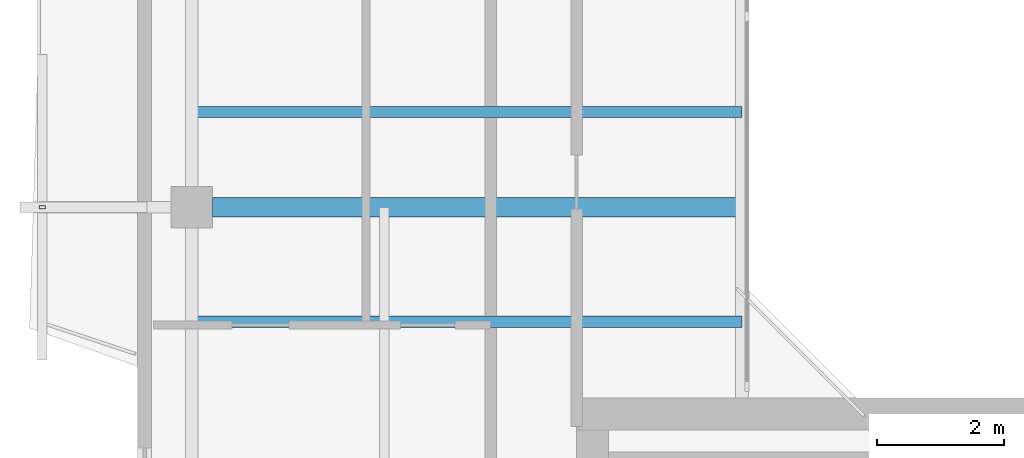
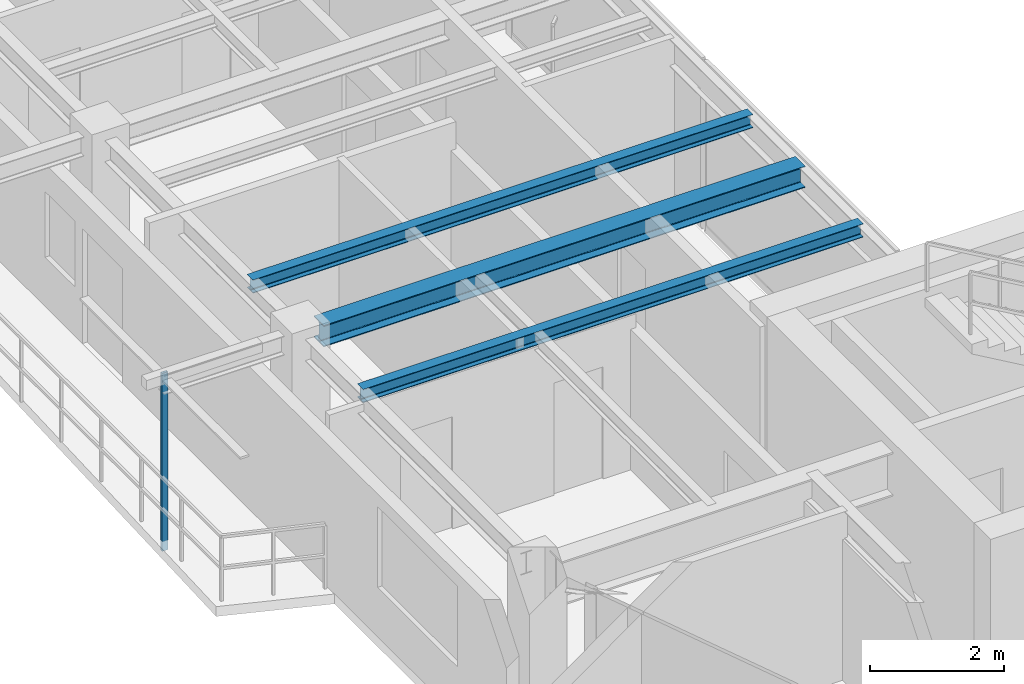
# One storey, part 3 of 15: 3 beams, 1 member.
"""IFC4 building model written with IfcOpenShell, lengths in metres."""

from ifc_helpers import new_model, si_unit, direction, frame, origin, origin_2d, place, context, subcontext, project, spatial, hollow_rectangle, i_section, extrude, source, transform, mapped, material, material_profile, profile_set, type_object, element, save


model = new_model("IFC4")

# Units and contexts
model_context = context("Model", 3, precision=1e-05, world=origin(), true_north=direction((0.0, 1.0)))
body_context = subcontext(model_context, "Body", "Model", "MODEL_VIEW")
ifc_project = project(units=[si_unit("LENGTHUNIT", "METRE"), si_unit("AREAUNIT", "SQUARE_METRE"), si_unit("VOLUMEUNIT", "CUBIC_METRE"), si_unit("PLANEANGLEUNIT", "RADIAN"), si_unit("MASSUNIT", "GRAM", prefix="KILO"), si_unit("THERMODYNAMICTEMPERATUREUNIT", "KELVIN"), si_unit("POWERUNIT", "WATT")], contexts=[model_context])

# Site, building, storey
site_placement = place(None, origin())
site = spatial("IfcSite", under=ifc_project, at=site_placement, CompositionType="ELEMENT")
building_placement = place(site_placement, origin())
building = spatial("IfcBuilding", under=site, at=building_placement, Name="Qiaomeng Ring Towers", CompositionType="ELEMENT")
storey_placement = place(building_placement, frame((0.0, 0.0, 250.25)))
storey = spatial("IfcBuildingStorey", under=building, at=storey_placement, Name="L73", CompositionType="ELEMENT", Elevation=250.25)

# Beams
ifc_material_1 = material(Name="Steel Q355B", Category="steel")
ifc_material_profile_1 = material_profile(ifc_material_1, i_section(OverallWidth=0.300048828125, OverallDepth=0.389892578125, WebThickness=0.010009765625, FlangeThickness=0.01611328125, FilletRadius=0.02197265625, at=origin_2d()), Name="HM 390x300x10x16")
ifc_profile_set_1 = profile_set([ifc_material_profile_1], Name="Steel Q355B")
beam_type_1 = type_object("IfcBeamType", Name="STR-BM-HM390", PredefinedType="BEAM", material=ifc_profile_set_1)
shared_shape_1 = source(origin(), body_context, "Body", "SweptSolid", [
    extrude(i_section(OverallWidth=0.300048828125, OverallDepth=0.389892578125, WebThickness=0.010009765625, FlangeThickness=0.01611328125, FilletRadius=0.02197265625, at=origin_2d()), origin(), (0.0, 0.0, 1.0), 8.325927734375),
])
beam_placement = place(storey_placement, frame((4.47412109375, 20.0, 2.875), z_axis=(1.0, 0.0, 0.0), x_axis=(0.0, 1.0, 0.0)))
element("IfcBeam", 1, at=beam_placement, inside=storey, type_object=beam_type_1, Name="L73 beam STR-BM-L73-T1-RAD-W2", PredefinedType="BEAM", context=body_context, shape_type="MappedRepresentation", body=[
    mapped(shared_shape_1, transform((0.0, 0.0, 0.0), x_axis=(1.0, 0.0, 0.0), y_axis=(0.0, 1.0, 0.0), z_axis=(0.0, 0.0, 1.0), scale=1.0)),
])
ifc_material_profile_2 = material_profile(ifc_material_1, i_section(OverallWidth=0.175048828125, OverallDepth=0.243896484375, WebThickness=0.007080078125, FlangeThickness=0.010986328125, FilletRadius=0.01611328125, at=origin_2d()), Name="HM 244x175x7x11")
ifc_profile_set_2 = profile_set([ifc_material_profile_2], Name="Steel Q355B")
beam_type_2 = type_object("IfcBeamType", Name="STR-BM-HM244", PredefinedType="JOIST", material=ifc_profile_set_2)
shared_shape_2 = source(origin(), body_context, "Body", "SweptSolid", [
    extrude(i_section(OverallWidth=0.175048828125, OverallDepth=0.243896484375, WebThickness=0.007080078125, FlangeThickness=0.010986328125, FilletRadius=0.01611328125, at=origin_2d()), origin(), (0.0, 0.0, 1.0), 8.650146484375),
])
for number, where, z_axis, x_axis, name in (
    (2, (4.14990234375, 18.199951171875, 2.947998046875), (1.0, 0.0, 0.0), (0.0, 1.0, 0.0), "L73 beam STR-JST-L73-T1W-1"),
    (3, (4.14990234375, 21.5, 2.947998046875), (1.0, 0.0, 0.0), (0.0, 1.0, 0.0), "L73 beam STR-JST-L73-T1W-2"),
):
    element("IfcBeam", number, at=place(storey_placement, frame(where, z_axis=z_axis, x_axis=x_axis)), inside=storey, type_object=beam_type_2, Name=name, PredefinedType="JOIST", context=body_context, shape_type="MappedRepresentation", body=[
        mapped(shared_shape_2, transform((0.0, 0.0, 0.0), x_axis=(1.0, 0.0, 0.0), y_axis=(0.0, 1.0, 0.0), z_axis=(0.0, 0.0, 1.0), scale=1.0)),
    ])

# Member
ifc_material_2 = material(Name="Stainless steel 316", Category="steel")
ifc_material_profile_3 = material_profile(ifc_material_2, hollow_rectangle(XDim=0.050048828125, YDim=0.10009765625, WallThickness=0.00390625, at=origin_2d()), Name="SS TRELLIS 100x50")
ifc_profile_set_3 = profile_set([ifc_material_profile_3], Name="Stainless steel 316")
member_type = type_object("IfcMemberType", Name="ARC-TR-POST2", PredefinedType="STUD", material=ifc_profile_set_3)
shared_shape_3 = source(origin(), body_context, "Body", "SweptSolid", [
    extrude(hollow_rectangle(XDim=0.050048828125, YDim=0.10009765625, WallThickness=0.00390625, at=origin_2d()), origin(), (0.0, 0.0, 1.0), 3.25),
])
member_placement = place(storey_placement, frame((1.800048828125, 20.0, -0.179931640625), z_axis=(0.0, 0.0, 1.0), x_axis=(0.0, 1.0, 0.0)))
element("IfcMember", 4, at=member_placement, inside=storey, type_object=member_type, Name="L73 Outer Ventilated Trellis Post W", PredefinedType="STUD", context=body_context, shape_type="MappedRepresentation", body=[
    mapped(shared_shape_3, transform((0.0, 0.0, 0.0), x_axis=(1.0, 0.0, 0.0), y_axis=(0.0, 1.0, 0.0), z_axis=(0.0, 0.0, 1.0), scale=1.0)),
])

save(model, "model.ifc")
